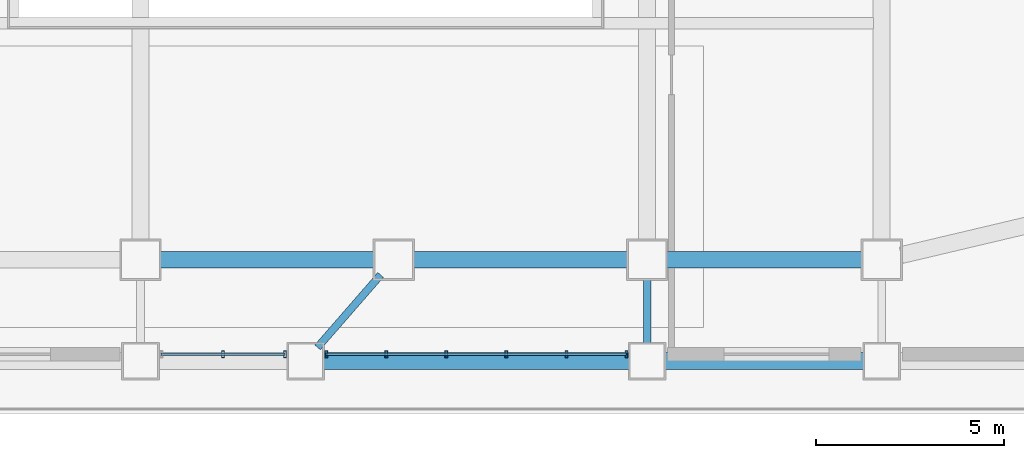
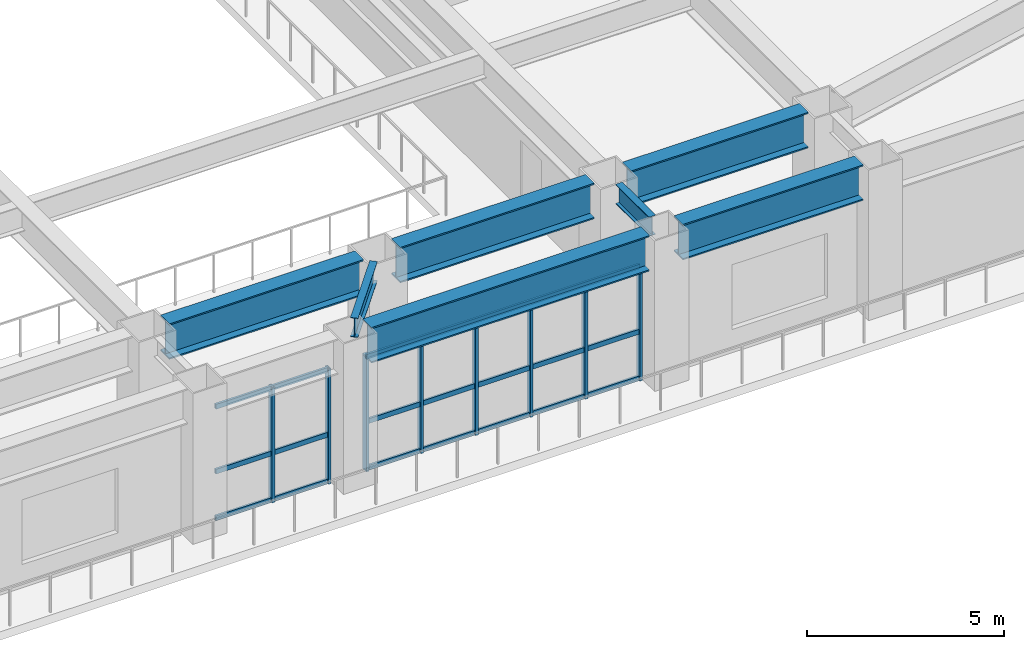
# One storey, part 4 of 14: 14 members, 7 beams, 2 elements without a shape of their own.
"""IFC4 building model written with IfcOpenShell, lengths in metres."""

from ifc_helpers import new_model, si_unit, direction, frame, origin, origin_2d, place, context, subcontext, project, spatial, hollow_rectangle, i_section, extrude, source, transform, mapped, material, layer, layer_set, material_profile, profile_set, type_object, element, aggregate, save


model = new_model("IFC4")

# Units and contexts
model_context = context("Model", 3, precision=1e-05, world=origin(), true_north=direction((0.0, 1.0)))
body_context = subcontext(model_context, "Body", "Model", "MODEL_VIEW")
ifc_project = project(units=[si_unit("LENGTHUNIT", "METRE"), si_unit("AREAUNIT", "SQUARE_METRE"), si_unit("VOLUMEUNIT", "CUBIC_METRE"), si_unit("PLANEANGLEUNIT", "RADIAN"), si_unit("MASSUNIT", "GRAM", prefix="KILO")], contexts=[model_context])

# Site, building, storey
site_placement = place(None, origin())
site = spatial("IfcSite", under=ifc_project, at=site_placement, CompositionType="ELEMENT")
building_placement = place(site_placement, origin())
building = spatial("IfcBuilding", under=site, at=building_placement, Name="Giltprow Tower", CompositionType="ELEMENT")
storey_placement = place(building_placement, frame((0.0, 0.0, 15.199951171875)))
storey = spatial("IfcBuildingStorey", under=building, at=storey_placement, Name="L04", CompositionType="ELEMENT", Elevation=15.199951171875)

# Beams
ifc_material_1 = material(Name="Structural steel Q420GJC", Category="steel")
ifc_material_profile_1 = material_profile(ifc_material_1, i_section(OverallWidth=0.449951171875, OverallDepth=1.10009765625, WebThickness=0.02587890625, FlangeThickness=0.0419921875, at=origin_2d()), Name="WH 1100x450x26x42")
ifc_profile_set_1 = profile_set([ifc_material_profile_1], Name="Structural steel Q420GJC")
beam_type_1 = type_object("IfcBeamType", Name="BM-GIRD-WH1100", PredefinedType="BEAM", material=ifc_profile_set_1)
shared_shape_1 = source(origin(), body_context, "Body", "SweptSolid", [
    extrude(i_section(OverallWidth=0.449951171875, OverallDepth=1.10009765625, WebThickness=0.02587890625, FlangeThickness=0.0419921875, at=origin_2d()), origin(), (0.0, 0.0, 1.0), 5.679931640625),
])
for number, where, z_axis, x_axis, name in (
    (1, (31.3349609375, 3.300048828125, 4.10009765625), (1.0, 0.0, 0.0), (0.0, 1.0, 0.0), "L04 Tower Base Ring Girder 3"),
    (2, (38.0849609375, 3.300048828125, 4.10009765625), (1.0, 0.0, 0.0), (0.0, 1.0, 0.0), "L04 Tower Base Ring Girder 4"),
):
    element("IfcBeam", number, at=place(storey_placement, frame(where, z_axis=z_axis, x_axis=x_axis)), inside=storey, type_object=beam_type_1, Name=name, PredefinedType="BEAM", context=body_context, shape_type="MappedRepresentation", body=[
        mapped(shared_shape_1, transform((0.0, 0.0, 0.0), x_axis=(1.0, 0.0, 0.0), y_axis=(0.0, 1.0, 0.0), z_axis=(0.0, 0.0, 1.0), scale=1.0)),
    ])
shared_shape_2 = source(origin(), body_context, "Body", "SweptSolid", [
    extrude(i_section(OverallWidth=0.449951171875, OverallDepth=1.10009765625, WebThickness=0.02587890625, FlangeThickness=0.0419921875, at=origin_2d()), origin(), (0.0, 0.0, 1.0), 5.179931640625),
])
beam_1_placement = place(storey_placement, frame((44.8349609375, 3.300048828125, 4.10009765625), z_axis=(1.0, 0.0, 0.0), x_axis=(0.0, 1.0, 0.0)))
element("IfcBeam", 3, at=beam_1_placement, inside=storey, type_object=beam_type_1, Name="L04 Tower Base Ring Girder 5", PredefinedType="BEAM", context=body_context, shape_type="MappedRepresentation", body=[
    mapped(shared_shape_2, transform((0.0, 0.0, 0.0), x_axis=(1.0, 0.0, 0.0), y_axis=(0.0, 1.0, 0.0), z_axis=(0.0, 0.0, 1.0), scale=1.0)),
])
shared_shape_3 = source(origin(), body_context, "Body", "SweptSolid", [
    extrude(i_section(OverallWidth=0.449951171875, OverallDepth=1.10009765625, WebThickness=0.02587890625, FlangeThickness=0.0419921875, at=origin_2d()), origin(), (0.0, 0.0, 1.0), 8.1298828125),
])
beam_2_placement = place(storey_placement, frame((35.68505859375, 0.60009765625, 4.10009765625), z_axis=(1.0, 0.0, 0.0), x_axis=(0.0, 1.0, 0.0)))
element("IfcBeam", 4, at=beam_2_placement, inside=storey, type_object=beam_type_1, Name="L04 Podium South Edge Girder", PredefinedType="BEAM", context=body_context, shape_type="MappedRepresentation", body=[
    mapped(shared_shape_3, transform((0.0, 0.0, 0.0), x_axis=(1.0, 0.0, 0.0), y_axis=(0.0, 1.0, 0.0), z_axis=(0.0, 0.0, 1.0), scale=1.0)),
])
shared_shape_4 = source(origin(), body_context, "Body", "SweptSolid", [
    extrude(i_section(OverallWidth=0.449951171875, OverallDepth=1.10009765625, WebThickness=0.02587890625, FlangeThickness=0.0419921875, at=origin_2d()), origin(), (0.0, 0.0, 1.0), 5.280029296875),
])
beam_3_placement = place(storey_placement, frame((44.784912109375, 0.60009765625, 4.10009765625), z_axis=(1.0, 0.0, 0.0), x_axis=(0.0, 1.0, 0.0)))
element("IfcBeam", 5, at=beam_3_placement, inside=storey, type_object=beam_type_1, Name="L04 Podium South Edge Girder", PredefinedType="BEAM", context=body_context, shape_type="MappedRepresentation", body=[
    mapped(shared_shape_4, transform((0.0, 0.0, 0.0), x_axis=(1.0, 0.0, 0.0), y_axis=(0.0, 1.0, 0.0), z_axis=(0.0, 0.0, 1.0), scale=1.0)),
])
ifc_material_2 = material(Name="Structural steel Q355B", Category="steel")
ifc_material_profile_2 = material_profile(ifc_material_2, i_section(OverallWidth=0.199951171875, OverallDepth=0.60009765625, WebThickness=0.010986328125, FlangeThickness=0.01708984375, at=origin_2d()), Name="HN 600x200x11x17")
ifc_profile_set_2 = profile_set([ifc_material_profile_2], Name="Structural steel Q355B")
beam_type_2 = type_object("IfcBeamType", Name="BM-GIRD-HN600", PredefinedType="BEAM", material=ifc_profile_set_2)
shared_shape_5 = source(origin(), body_context, "Body", "SweptSolid", [
    extrude(i_section(OverallWidth=0.199951171875, OverallDepth=0.60009765625, WebThickness=0.010986328125, FlangeThickness=0.01708984375, at=origin_2d()), origin(), (0.0, 0.0, 1.0), 1.679931640625),
])
beam_4_placement = place(storey_placement, frame((44.300048828125, 1.0849609375, 4.35009765625), z_axis=(0.0, 1.0, 0.0), x_axis=(-1.0, 0.0, 0.0)))
element("IfcBeam", 6, at=beam_4_placement, inside=storey, type_object=beam_type_2, Name="L04 South Perimeter Tie S3", PredefinedType="BEAM", context=body_context, shape_type="MappedRepresentation", body=[
    mapped(shared_shape_5, transform((0.0, 0.0, 0.0), x_axis=(1.0, 0.0, 0.0), y_axis=(0.0, 1.0, 0.0), z_axis=(0.0, 0.0, 1.0), scale=1.0)),
])
shared_shape_6 = source(origin(), body_context, "Body", "SweptSolid", [
    extrude(i_section(OverallWidth=0.199951171875, OverallDepth=0.60009765625, WebThickness=0.010986328125, FlangeThickness=0.01708984375, at=origin_2d()), origin(), (0.0, 0.0, 1.0), 2.559326171875),
])
beam_5_placement = place(storey_placement, frame((35.51806640625, 0.966064453125, 4.35009765625), z_axis=(0.656780744804, 0.754081595886, 0.0), x_axis=(-0.754081595886, 0.656780744804, 0.0)))
element("IfcBeam", 7, at=beam_5_placement, inside=storey, type_object=beam_type_2, Name="L04 South Mid Tie", PredefinedType="BEAM", context=body_context, shape_type="MappedRepresentation", body=[
    mapped(shared_shape_6, transform((0.0, 0.0, 0.0), x_axis=(1.0, 0.0, 0.0), y_axis=(0.0, 1.0, 0.0), z_axis=(0.0, 0.0, 1.0), scale=1.0)),
])

# Curtain wall, members
ifc_material_3 = material(Name="Anodized bronze", Category="metal")
ifc_layer = layer(ifc_material_3, 0.179931640625, Name="Anodized bronze")
ifc_layer_set = layer_set([ifc_layer], Name="Anodized bronze")
curtain_wall_type = type_object("IfcCurtainWallType", Name="CW-POD-STOREFRONT", PredefinedType="NOTDEFINED", material=ifc_layer_set)
curtain_wall_1_placement = place(storey_placement, origin())
curtain_wall_1 = element("IfcCurtainWall", 8, at=curtain_wall_1_placement, inside=storey, type_object=curtain_wall_type, Name="L04 South Waterfront Storefront 3", PredefinedType="NOTDEFINED")
ifc_material_profile_3 = material_profile(ifc_material_3, hollow_rectangle(XDim=0.06494140625, YDim=0.14990234375, WallThickness=0.006103515625, at=origin_2d()), Name="RHS 150x65x6")
ifc_profile_set_3 = profile_set([ifc_material_profile_3], Name="Anodized bronze")
member_type_1 = type_object("IfcMemberType", Name="CW-TRANSOM-150x65", PredefinedType="USERDEFINED", material=ifc_profile_set_3)
shared_shape_7 = source(origin(), body_context, "Body", "SweptSolid", [
    extrude(hollow_rectangle(XDim=0.06494140625, YDim=0.14990234375, WallThickness=0.006103515625, at=origin_2d()), origin(), (0.0, 0.0, 1.0), 3.2998046875),
])
member_1_placement = place(storey_placement, frame((31.35009765625, 0.780029296875, 0.0400390625), z_axis=(1.0, 0.0, 0.0), x_axis=(0.0, 1.0, 0.0)))
member_1 = element("IfcMember", 9, at=member_1_placement, type_object=member_type_1, Name="L04 South Waterfront Storefront 3 Transom 1", ObjectType="TRANSOM", PredefinedType="USERDEFINED", context=body_context, shape_type="MappedRepresentation", body=[
    mapped(shared_shape_7, transform((0.0, 0.0, 0.0), x_axis=(1.0, 0.0, 0.0), y_axis=(0.0, 1.0, 0.0), z_axis=(0.0, 0.0, 1.0), scale=1.0)),
])
member_2_placement = place(storey_placement, frame((31.35009765625, 0.780029296875, 1.483154296875), z_axis=(1.0, 0.0, 0.0), x_axis=(0.0, 1.0, 0.0)))
member_2 = element("IfcMember", 10, at=member_2_placement, type_object=member_type_1, Name="L04 South Waterfront Storefront 3 Transom 2", ObjectType="TRANSOM", PredefinedType="USERDEFINED", context=body_context, shape_type="MappedRepresentation", body=[
    mapped(shared_shape_7, transform((0.0, 0.0, 0.0), x_axis=(1.0, 0.0, 0.0), y_axis=(0.0, 1.0, 0.0), z_axis=(0.0, 0.0, 1.0), scale=1.0)),
])
member_3_placement = place(storey_placement, frame((31.35009765625, 0.780029296875, 3.489990234375), z_axis=(1.0, 0.0, 0.0), x_axis=(0.0, 1.0, 0.0)))
member_3 = element("IfcMember", 11, at=member_3_placement, type_object=member_type_1, Name="L04 South Waterfront Storefront 3 Transom 3", ObjectType="TRANSOM", PredefinedType="USERDEFINED", context=body_context, shape_type="MappedRepresentation", body=[
    mapped(shared_shape_7, transform((0.0, 0.0, 0.0), x_axis=(1.0, 0.0, 0.0), y_axis=(0.0, 1.0, 0.0), z_axis=(0.0, 0.0, 1.0), scale=1.0)),
])

curtain_wall_2_placement = place(storey_placement, origin())
curtain_wall_2 = element("IfcCurtainWall", 12, at=curtain_wall_2_placement, inside=storey, type_object=curtain_wall_type, Name="L04 South Waterfront Storefront 4", PredefinedType="NOTDEFINED")
shared_shape_8 = source(origin(), body_context, "Body", "SweptSolid", [
    extrude(hollow_rectangle(XDim=0.06494140625, YDim=0.14990234375, WallThickness=0.006103515625, at=origin_2d()), origin(), (0.0, 0.0, 1.0), 8.0),
])
member_4_placement = place(storey_placement, frame((35.75, 0.780029296875, 0.0400390625), z_axis=(1.0, 0.0, 0.0), x_axis=(0.0, 1.0, 0.0)))
member_4 = element("IfcMember", 13, at=member_4_placement, type_object=member_type_1, Name="L04 South Waterfront Storefront 4 Transom 1", ObjectType="TRANSOM", PredefinedType="USERDEFINED", context=body_context, shape_type="MappedRepresentation", body=[
    mapped(shared_shape_8, transform((0.0, 0.0, 0.0), x_axis=(1.0, 0.0, 0.0), y_axis=(0.0, 1.0, 0.0), z_axis=(0.0, 0.0, 1.0), scale=1.0)),
])
member_5_placement = place(storey_placement, frame((35.75, 0.780029296875, 1.483154296875), z_axis=(1.0, 0.0, 0.0), x_axis=(0.0, 1.0, 0.0)))
member_5 = element("IfcMember", 14, at=member_5_placement, type_object=member_type_1, Name="L04 South Waterfront Storefront 4 Transom 2", ObjectType="TRANSOM", PredefinedType="USERDEFINED", context=body_context, shape_type="MappedRepresentation", body=[
    mapped(shared_shape_8, transform((0.0, 0.0, 0.0), x_axis=(1.0, 0.0, 0.0), y_axis=(0.0, 1.0, 0.0), z_axis=(0.0, 0.0, 1.0), scale=1.0)),
])
member_6_placement = place(storey_placement, frame((35.75, 0.780029296875, 3.489990234375), z_axis=(1.0, 0.0, 0.0), x_axis=(0.0, 1.0, 0.0)))
member_6 = element("IfcMember", 15, at=member_6_placement, type_object=member_type_1, Name="L04 South Waterfront Storefront 4 Transom 3", ObjectType="TRANSOM", PredefinedType="USERDEFINED", context=body_context, shape_type="MappedRepresentation", body=[
    mapped(shared_shape_8, transform((0.0, 0.0, 0.0), x_axis=(1.0, 0.0, 0.0), y_axis=(0.0, 1.0, 0.0), z_axis=(0.0, 0.0, 1.0), scale=1.0)),
])

# Member
ifc_material_profile_4 = material_profile(ifc_material_3, hollow_rectangle(XDim=0.074951171875, YDim=0.179931640625, WallThickness=0.008056640625, at=origin_2d()), Name="RHS 180x75x8")
ifc_profile_set_4 = profile_set([ifc_material_profile_4], Name="Anodized bronze")
member_type_2 = type_object("IfcMemberType", Name="CW-MULLION-180x75", PredefinedType="MULLION", material=ifc_profile_set_4)
shared_shape_9 = source(origin(), body_context, "Body", "SweptSolid", [
    extrude(hollow_rectangle(XDim=0.074951171875, YDim=0.179931640625, WallThickness=0.008056640625, at=origin_2d()), origin(), (0.0, 0.0, 1.0), 3.570068359375),
])
member_7_placement = place(storey_placement, frame((33.0, 0.780029296875, -0.02001953125), z_axis=(0.0, 0.0, 1.0), x_axis=(1.0, 0.0, 0.0)))
member_7 = element("IfcMember", 16, at=member_7_placement, type_object=member_type_2, Name="L04 South Waterfront Storefront 3 Mullion 2", PredefinedType="MULLION", context=body_context, shape_type="MappedRepresentation", body=[
    mapped(shared_shape_9, transform((0.0, 0.0, 0.0), x_axis=(1.0, 0.0, 0.0), y_axis=(0.0, 1.0, 0.0), z_axis=(0.0, 0.0, 1.0), scale=1.0)),
])

member_8_placement = place(storey_placement, frame((34.64990234375, 0.780029296875, -0.02001953125), z_axis=(0.0, 0.0, 1.0), x_axis=(1.0, 0.0, 0.0)))
member_8 = element("IfcMember", 17, at=member_8_placement, type_object=member_type_2, Name="L04 South Waterfront Storefront 3 Mullion 3", PredefinedType="MULLION", context=body_context, shape_type="MappedRepresentation", body=[
    mapped(shared_shape_9, transform((0.0, 0.0, 0.0), x_axis=(1.0, 0.0, 0.0), y_axis=(0.0, 1.0, 0.0), z_axis=(0.0, 0.0, 1.0), scale=1.0)),
])

aggregate(curtain_wall_1, [member_7, member_8, member_1, member_2, member_3])

member_9_placement = place(storey_placement, frame((35.75, 0.780029296875, -0.02001953125), z_axis=(0.0, 0.0, 1.0), x_axis=(1.0, 0.0, 0.0)))
member_9 = element("IfcMember", 18, at=member_9_placement, type_object=member_type_2, Name="L04 South Waterfront Storefront 4 Mullion 1", PredefinedType="MULLION", context=body_context, shape_type="MappedRepresentation", body=[
    mapped(shared_shape_9, transform((0.0, 0.0, 0.0), x_axis=(1.0, 0.0, 0.0), y_axis=(0.0, 1.0, 0.0), z_axis=(0.0, 0.0, 1.0), scale=1.0)),
])

member_10_placement = place(storey_placement, frame((37.35009765625, 0.780029296875, -0.02001953125), z_axis=(0.0, 0.0, 1.0), x_axis=(1.0, 0.0, 0.0)))
member_10 = element("IfcMember", 19, at=member_10_placement, type_object=member_type_2, Name="L04 South Waterfront Storefront 4 Mullion 2", PredefinedType="MULLION", context=body_context, shape_type="MappedRepresentation", body=[
    mapped(shared_shape_9, transform((0.0, 0.0, 0.0), x_axis=(1.0, 0.0, 0.0), y_axis=(0.0, 1.0, 0.0), z_axis=(0.0, 0.0, 1.0), scale=1.0)),
])

member_11_placement = place(storey_placement, frame((38.949951171875, 0.780029296875, -0.02001953125), z_axis=(0.0, 0.0, 1.0), x_axis=(1.0, 0.0, 0.0)))
member_11 = element("IfcMember", 20, at=member_11_placement, type_object=member_type_2, Name="L04 South Waterfront Storefront 4 Mullion 3", PredefinedType="MULLION", context=body_context, shape_type="MappedRepresentation", body=[
    mapped(shared_shape_9, transform((0.0, 0.0, 0.0), x_axis=(1.0, 0.0, 0.0), y_axis=(0.0, 1.0, 0.0), z_axis=(0.0, 0.0, 1.0), scale=1.0)),
])

member_12_placement = place(storey_placement, frame((40.550048828125, 0.780029296875, -0.02001953125), z_axis=(0.0, 0.0, 1.0), x_axis=(1.0, 0.0, 0.0)))
member_12 = element("IfcMember", 21, at=member_12_placement, type_object=member_type_2, Name="L04 South Waterfront Storefront 4 Mullion 4", PredefinedType="MULLION", context=body_context, shape_type="MappedRepresentation", body=[
    mapped(shared_shape_9, transform((0.0, 0.0, 0.0), x_axis=(1.0, 0.0, 0.0), y_axis=(0.0, 1.0, 0.0), z_axis=(0.0, 0.0, 1.0), scale=1.0)),
])

member_13_placement = place(storey_placement, frame((42.14990234375, 0.780029296875, -0.02001953125), z_axis=(0.0, 0.0, 1.0), x_axis=(1.0, 0.0, 0.0)))
member_13 = element("IfcMember", 22, at=member_13_placement, type_object=member_type_2, Name="L04 South Waterfront Storefront 4 Mullion 5", PredefinedType="MULLION", context=body_context, shape_type="MappedRepresentation", body=[
    mapped(shared_shape_9, transform((0.0, 0.0, 0.0), x_axis=(1.0, 0.0, 0.0), y_axis=(0.0, 1.0, 0.0), z_axis=(0.0, 0.0, 1.0), scale=1.0)),
])

member_14_placement = place(storey_placement, frame((43.75, 0.780029296875, -0.02001953125), z_axis=(0.0, 0.0, 1.0), x_axis=(1.0, 0.0, 0.0)))
member_14 = element("IfcMember", 23, at=member_14_placement, type_object=member_type_2, Name="L04 South Waterfront Storefront 4 Mullion 6", PredefinedType="MULLION", context=body_context, shape_type="MappedRepresentation", body=[
    mapped(shared_shape_9, transform((0.0, 0.0, 0.0), x_axis=(1.0, 0.0, 0.0), y_axis=(0.0, 1.0, 0.0), z_axis=(0.0, 0.0, 1.0), scale=1.0)),
])

aggregate(curtain_wall_2, [member_9, member_10, member_11, member_12, member_13, member_14, member_4, member_5, member_6])

save(model, "model.ifc")
